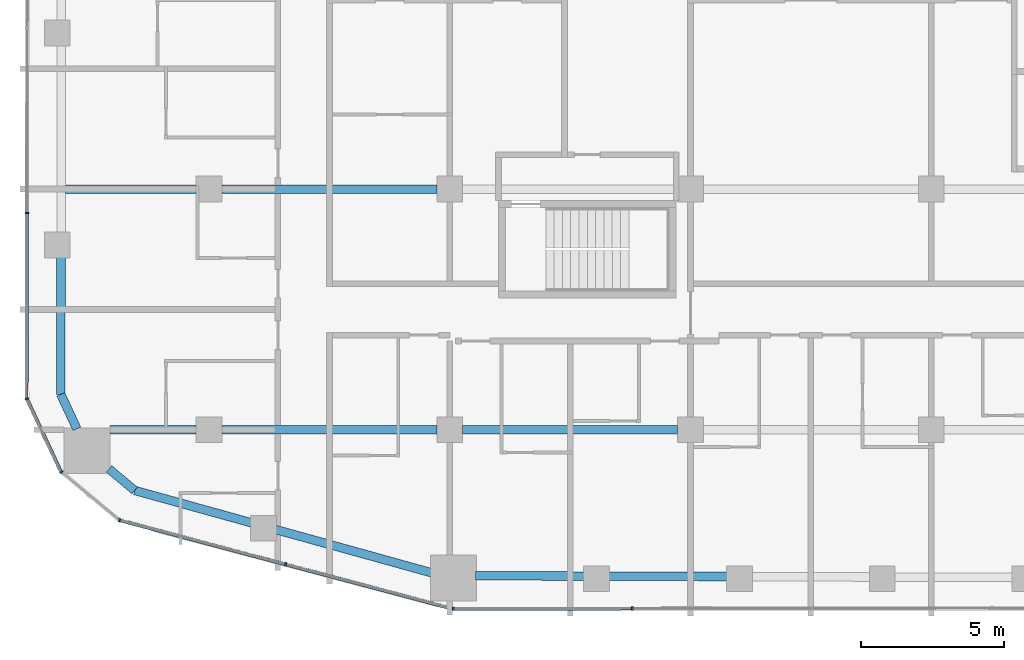
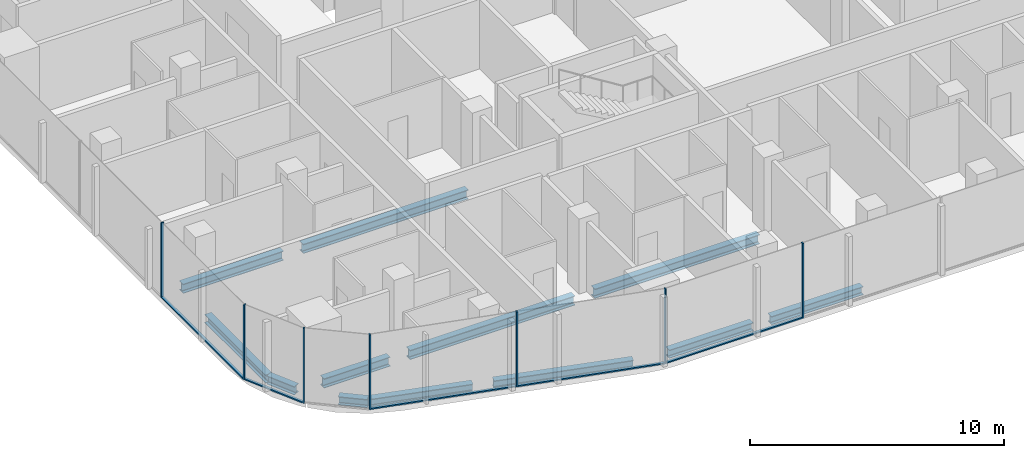
# One storey, part 2 of 23: 12 beams, 12 members, 5 elements without a shape of their own.
"""IFC4 building model written with IfcOpenShell, lengths in metres."""

from ifc_helpers import new_model, si_unit, direction, frame, origin, origin_2d, place, context, subcontext, project, spatial, rectangle, i_section, extrude, material, layer, layer_set, material_profile, profile_set, type_object, element, aggregate, save


model = new_model("IFC4")

# Units and contexts
model_context = context("Model", 3, precision=1e-05, world=origin(), true_north=direction((0.0, 1.0)))
body_context = subcontext(model_context, "Body", "Model", "MODEL_VIEW")
ifc_project = project(units=[si_unit("LENGTHUNIT", "METRE"), si_unit("AREAUNIT", "SQUARE_METRE"), si_unit("VOLUMEUNIT", "CUBIC_METRE"), si_unit("PLANEANGLEUNIT", "RADIAN"), si_unit("MASSUNIT", "GRAM", prefix="KILO")], contexts=[model_context])

# Site, building, storey
site_placement = place(None, origin())
site = spatial("IfcSite", under=ifc_project, at=site_placement, CompositionType="ELEMENT")
building_placement = place(site_placement, origin())
building = spatial("IfcBuilding", under=site, at=building_placement, Name="Marenta Gate Hotel Tower", CompositionType="ELEMENT")
storey_placement = place(building_placement, frame((0.0, 0.0, 104.89990234375)))
storey = spatial("IfcBuildingStorey", under=building, at=storey_placement, Name="L22", CompositionType="ELEMENT", Elevation=104.89990234375)

# Beams
ifc_material_1 = material(Name="Steel S355", Category="steel")
ifc_material_profile_1 = material_profile(ifc_material_1, i_section(OverallWidth=0.300048828125, OverallDepth=0.39990234375, WebThickness=0.013427734375, FlangeThickness=0.02392578125, FilletRadius=0.027099609375, at=origin_2d()), Name="HEB 400")
ifc_profile_set_1 = profile_set([ifc_material_profile_1], Name="Steel S355")
beam_type_1 = type_object("IfcBeamType", Name="Edge beam HEB 400", PredefinedType="SPANDREL", material=ifc_profile_set_1)
beam_1_placement = place(storey_placement, frame((-13.227783203125, -21.794677734375, -0.4599609375), z_axis=(-0.963615860477, 0.267290990189, 0.0), x_axis=(-0.267290990189, -0.963615860477, 0.0)))
element("IfcBeam", 1, at=beam_1_placement, inside=storey, type_object=beam_type_1, Name="L22-EB-1", PredefinedType="SPANDREL", context=body_context, shape_type="SweptSolid", body=[
    extrude(i_section(OverallWidth=0.300048828125, OverallDepth=0.39990234375, WebThickness=0.013427734375, FlangeThickness=0.02392578125, FilletRadius=0.027099609375, at=origin_2d()), origin(), (0.0, 0.0, 1.0), 5.674072265625),
])
beam_2_placement = place(storey_placement, frame((-19.518310546875, -20.0498046875, -0.4599609375), z_axis=(-0.963630213062, 0.267239242016, 0.0), x_axis=(-0.267239242016, -0.963630213062, 0.0)))
element("IfcBeam", 2, at=beam_2_placement, inside=storey, type_object=beam_type_1, Name="L22-EB-2", PredefinedType="SPANDREL", context=body_context, shape_type="SweptSolid", body=[
    extrude(i_section(OverallWidth=0.300048828125, OverallDepth=0.39990234375, WebThickness=0.013427734375, FlangeThickness=0.02392578125, FilletRadius=0.027099609375, at=origin_2d()), origin(), (0.0, 0.0, 1.0), 4.232666015625),
])
beam_3_placement = place(storey_placement, frame((-23.596923828125, -18.918701171875, -0.4599609375), z_axis=(-0.767073132856, 0.641559668972, 0.0), x_axis=(-0.641559668972, -0.767073132856, 0.0)))
element("IfcBeam", 3, at=beam_3_placement, inside=storey, type_object=beam_type_1, Name="L22-EB-3", PredefinedType="SPANDREL", context=body_context, shape_type="SweptSolid", body=[
    extrude(i_section(OverallWidth=0.300048828125, OverallDepth=0.39990234375, WebThickness=0.013427734375, FlangeThickness=0.02392578125, FilletRadius=0.027099609375, at=origin_2d()), origin(), (0.0, 0.0, 1.0), 1.1689453125),
])
beam_4_placement = place(storey_placement, frame((-25.613525390625, -16.769287109375, -0.4599609375), z_axis=(-0.423207780269, 0.906032656541, 0.0), x_axis=(-0.906032656541, -0.423207780269, 0.0)))
element("IfcBeam", 4, at=beam_4_placement, inside=storey, type_object=beam_type_1, Name="L22-EB-4", PredefinedType="SPANDREL", context=body_context, shape_type="SweptSolid", body=[
    extrude(i_section(OverallWidth=0.300048828125, OverallDepth=0.39990234375, WebThickness=0.013427734375, FlangeThickness=0.02392578125, FilletRadius=0.027099609375, at=origin_2d()), origin(), (0.0, 0.0, 1.0), 1.326904296875),
])
beam_5_placement = place(storey_placement, frame((-26.175048828125, -15.567138671875, -0.4599609375), z_axis=(0.001371810517, 0.999999059068, 0.0), x_axis=(-0.999999059068, 0.001371810517, 0.0)))
element("IfcBeam", 5, at=beam_5_placement, inside=storey, type_object=beam_type_1, Name="L22-EB-5", PredefinedType="SPANDREL", context=body_context, shape_type="SweptSolid", body=[
    extrude(i_section(OverallWidth=0.300048828125, OverallDepth=0.39990234375, WebThickness=0.013427734375, FlangeThickness=0.02392578125, FilletRadius=0.027099609375, at=origin_2d()), origin(), (0.0, 0.0, 1.0), 4.80517578125),
])
beam_6_placement = place(storey_placement, frame((-2.9033203125, -21.92333984375, -0.4599609375), z_axis=(-0.999994807487, 0.003222576575, 0.0), x_axis=(-0.003222576575, -0.999994807487, 0.0)))
element("IfcBeam", 6, at=beam_6_placement, inside=storey, type_object=beam_type_1, Name="L22-EB-35", PredefinedType="SPANDREL", context=body_context, shape_type="SweptSolid", body=[
    extrude(i_section(OverallWidth=0.300048828125, OverallDepth=0.39990234375, WebThickness=0.013427734375, FlangeThickness=0.02392578125, FilletRadius=0.027099609375, at=origin_2d()), origin(), (0.0, 0.0, 1.0), 4.166748046875),
])
beam_7_placement = place(storey_placement, frame((-7.89013671875, -21.907470703125, -0.4599609375), z_axis=(-0.999994677283, 0.003262729738, 0.0), x_axis=(-0.003262729738, -0.999994677283, 0.0)))
element("IfcBeam", 7, at=beam_7_placement, inside=storey, type_object=beam_type_1, Name="L22-EB-36", PredefinedType="SPANDREL", context=body_context, shape_type="SweptSolid", body=[
    extrude(i_section(OverallWidth=0.300048828125, OverallDepth=0.39990234375, WebThickness=0.013427734375, FlangeThickness=0.02392578125, FilletRadius=0.027099609375, at=origin_2d()), origin(), (0.0, 0.0, 1.0), 3.816162109375),
])
ifc_material_2 = material(Name="Steel S355", Category="steel")
ifc_material_profile_2 = material_profile(ifc_material_2, i_section(OverallWidth=0.300048828125, OverallDepth=0.449951171875, WebThickness=0.013916015625, FlangeThickness=0.02587890625, FilletRadius=0.027099609375, at=origin_2d()), Name="HEB 450")
ifc_profile_set_2 = profile_set([ifc_material_profile_2], Name="Steel S355")
beam_type_2 = type_object("IfcBeamType", Name="Girder HEB 450", PredefinedType="BEAM", material=ifc_profile_set_2)
beam_8_placement = place(storey_placement, frame((-24.462890625, -16.800048828125, -0.48486328125), z_axis=(1.0, 0.0, 0.0), x_axis=(0.0, 1.0, 0.0)))
element("IfcBeam", 8, at=beam_8_placement, inside=storey, type_object=beam_type_2, Name="L22-GD-1", PredefinedType="BEAM", context=body_context, shape_type="SweptSolid", body=[
    extrude(i_section(OverallWidth=0.300048828125, OverallDepth=0.449951171875, WebThickness=0.013916015625, FlangeThickness=0.02587890625, FilletRadius=0.027099609375, at=origin_2d()), origin(), (0.0, 0.0, 1.0), 3.012939453125),
])
for number, where, z_axis, x_axis, name in (
    (9, (-20.550048828125, -16.800048828125, -0.48486328125), (1.0, 0.0, 0.0), (0.0, 1.0, 0.0), "L22-GD-2"),
    (10, (-12.14990234375, -16.800048828125, -0.48486328125), (1.0, 0.0, 0.0), (0.0, 1.0, 0.0), "L22-GD-3"),
):
    element("IfcBeam", number, at=place(storey_placement, frame(where, z_axis=z_axis, x_axis=x_axis)), inside=storey, type_object=beam_type_2, Name=name, PredefinedType="BEAM", context=body_context, shape_type="SweptSolid", body=[
        extrude(i_section(OverallWidth=0.300048828125, OverallDepth=0.449951171875, WebThickness=0.013916015625, FlangeThickness=0.02587890625, FilletRadius=0.027099609375, at=origin_2d()), origin(), (0.0, 0.0, 1.0), 7.5),
    ])
beam_9_placement = place(storey_placement, frame((-26.01513671875, -8.39990234375, -0.48486328125), z_axis=(1.0, 0.0, 0.0), x_axis=(0.0, 1.0, 0.0)))
element("IfcBeam", 11, at=beam_9_placement, inside=storey, type_object=beam_type_2, Name="L22-GD-8", PredefinedType="BEAM", context=body_context, shape_type="SweptSolid", body=[
    extrude(i_section(OverallWidth=0.300048828125, OverallDepth=0.449951171875, WebThickness=0.013916015625, FlangeThickness=0.02587890625, FilletRadius=0.027099609375, at=origin_2d()), origin(), (0.0, 0.0, 1.0), 4.565185546875),
])
beam_10_placement = place(storey_placement, frame((-20.550048828125, -8.39990234375, -0.48486328125), z_axis=(1.0, 0.0, 0.0), x_axis=(0.0, 1.0, 0.0)))
element("IfcBeam", 12, at=beam_10_placement, inside=storey, type_object=beam_type_2, Name="L22-GD-9", PredefinedType="BEAM", context=body_context, shape_type="SweptSolid", body=[
    extrude(i_section(OverallWidth=0.300048828125, OverallDepth=0.449951171875, WebThickness=0.013916015625, FlangeThickness=0.02587890625, FilletRadius=0.027099609375, at=origin_2d()), origin(), (0.0, 0.0, 1.0), 7.5),
])

# Curtain wall, member
ifc_material_3 = material(Name="Tinted insulated glass in bronze anodised frame", Category="glass")
ifc_layer = layer(ifc_material_3, 0.1201171875)
ifc_layer_set = layer_set([ifc_layer], Name="Tinted insulated glass in bronze anodised frame")
curtain_wall_type = type_object("IfcCurtainWallType", Name="Tower unitised curtain wall CW1", PredefinedType="NOTDEFINED", material=ifc_layer_set)
curtain_wall_1_placement = place(storey_placement, origin())
curtain_wall_1 = element("IfcCurtainWall", 13, at=curtain_wall_1_placement, inside=storey, type_object=curtain_wall_type, Name="CW1 run G03", PredefinedType="NOTDEFINED")
ifc_material_4 = material(Name="Bronze anodised aluminium", Category="aluminium")
ifc_material_profile_3 = material_profile(ifc_material_4, rectangle(XDim=0.1201171875, YDim=0.06005859375, at=origin_2d()), Name="Mullion CW1 60x120 bronze anodised aluminium")
ifc_profile_set_3 = profile_set([ifc_material_profile_3], Name="Bronze anodised aluminium")
member_type_1 = type_object("IfcMemberType", Name="Mullion CW1 60x120 bronze anodised aluminium", PredefinedType="MULLION", material=ifc_profile_set_3)
member_1_placement = place(storey_placement, frame((-27.36279296875, -9.23388671875, 0.0), z_axis=(0.0, 0.0, 1.0), x_axis=(0.99999877375, -0.001566045546, 0.0)))
member_1 = element("IfcMember", 14, at=member_1_placement, type_object=member_type_1, Name="CW1 mullion 6", PredefinedType="MULLION", context=body_context, shape_type="SweptSolid", body=[
    extrude(rectangle(XDim=0.1201171875, YDim=0.06005859375, at=origin_2d()), origin(), (0.0, 0.0, 1.0), 3.60009765625),
])

curtain_wall_2_placement = place(storey_placement, origin())
curtain_wall_2 = element("IfcCurtainWall", 15, at=curtain_wall_2_placement, inside=storey, type_object=curtain_wall_type, Name="CW1 run G04", PredefinedType="NOTDEFINED")
member_2_placement = place(storey_placement, frame((-27.3603515625, -15.720947265625, 0.0), z_axis=(0.0, 0.0, 1.0), x_axis=(0.905971778319, 0.423338088163, 0.0)))
member_2 = element("IfcMember", 16, at=member_2_placement, type_object=member_type_1, Name="CW1 mullion 1", PredefinedType="MULLION", context=body_context, shape_type="SweptSolid", body=[
    extrude(rectangle(XDim=0.1201171875, YDim=0.06005859375, at=origin_2d()), origin(), (0.0, 0.0, 1.0), 3.60009765625),
])

curtain_wall_3_placement = place(storey_placement, origin())
curtain_wall_3 = element("IfcCurtainWall", 17, at=curtain_wall_3_placement, inside=storey, type_object=curtain_wall_type, Name="CW1 run G05", PredefinedType="NOTDEFINED")
member_3_placement = place(storey_placement, frame((-26.152099609375, -18.27685546875, 0.0), z_axis=(0.0, 0.0, 1.0), x_axis=(0.641512168126, 0.767112858807, 0.0)))
member_3 = element("IfcMember", 18, at=member_3_placement, type_object=member_type_1, Name="CW1 mullion 1", PredefinedType="MULLION", context=body_context, shape_type="SweptSolid", body=[
    extrude(rectangle(XDim=0.1201171875, YDim=0.06005859375, at=origin_2d()), origin(), (0.0, 0.0, 1.0), 3.60009765625),
])
aggregate(curtain_wall_3, [member_3])

# Curtain wall, members
curtain_wall_4_placement = place(storey_placement, origin())
curtain_wall_4 = element("IfcCurtainWall", 19, at=curtain_wall_4_placement, inside=storey, type_object=curtain_wall_type, Name="CW1 run G06", PredefinedType="NOTDEFINED")
member_4_placement = place(storey_placement, frame((-24.12451171875, -19.955810546875, 0.0), z_axis=(0.0, 0.0, 1.0), x_axis=(0.257143631229, 0.966373195468, 0.0)))
member_4 = element("IfcMember", 20, at=member_4_placement, type_object=member_type_1, Name="CW1 mullion 1", PredefinedType="MULLION", context=body_context, shape_type="SweptSolid", body=[
    extrude(rectangle(XDim=0.1201171875, YDim=0.06005859375, at=origin_2d()), origin(), (0.0, 0.0, 1.0), 3.60009765625),
])
member_5_placement = place(storey_placement, frame((-18.32958984375, -21.497802734375, 0.0), z_axis=(0.0, 0.0, 1.0), x_axis=(0.257143631229, 0.966373195468, 0.0)))
member_5 = element("IfcMember", 21, at=member_5_placement, type_object=member_type_1, Name="CW1 mullion 2", PredefinedType="MULLION", context=body_context, shape_type="SweptSolid", body=[
    extrude(rectangle(XDim=0.1201171875, YDim=0.06005859375, at=origin_2d()), origin(), (0.0, 0.0, 1.0), 3.60009765625),
])

curtain_wall_5_placement = place(storey_placement, origin())
curtain_wall_5 = element("IfcCurtainWall", 22, at=curtain_wall_5_placement, inside=storey, type_object=curtain_wall_type, Name="CW1 run G07", PredefinedType="NOTDEFINED")
member_6_placement = place(storey_placement, frame((-12.475830078125, -23.04736328125, 0.0), z_axis=(0.0, 0.0, 1.0), x_axis=(-0.001362347707, 0.999999072004, 0.0)))
member_6 = element("IfcMember", 23, at=member_6_placement, type_object=member_type_1, Name="CW1 mullion 1", PredefinedType="MULLION", context=body_context, shape_type="SweptSolid", body=[
    extrude(rectangle(XDim=0.1201171875, YDim=0.06005859375, at=origin_2d()), origin(), (0.0, 0.0, 1.0), 3.60009765625),
])
member_7_placement = place(storey_placement, frame((-6.22998046875, -23.0390625, 0.0), z_axis=(0.0, 0.0, 1.0), x_axis=(-0.001362347707, 0.999999072004, 0.0)))
member_7 = element("IfcMember", 24, at=member_7_placement, type_object=member_type_1, Name="CW1 mullion 2", PredefinedType="MULLION", context=body_context, shape_type="SweptSolid", body=[
    extrude(rectangle(XDim=0.1201171875, YDim=0.06005859375, at=origin_2d()), origin(), (0.0, 0.0, 1.0), 3.60009765625),
])

# Member
ifc_material_5 = material(Name="Bronze anodised aluminium", Category="aluminium")
ifc_material_profile_4 = material_profile(ifc_material_5, rectangle(XDim=0.1201171875, YDim=0.06005859375, at=origin_2d()), Name="Transom CW1 60x120 bronze anodised aluminium")
ifc_profile_set_4 = profile_set([ifc_material_profile_4], Name="Bronze anodised aluminium")
member_type_2 = type_object("IfcMemberType", Name="Transom CW1 60x120 bronze anodised aluminium", PredefinedType="USERDEFINED", material=ifc_profile_set_4)
member_8_placement = place(storey_placement, frame((-27.363037109375, -9.263916015625, 0.030029296875), z_axis=(-0.001556743377, -0.999998788274, 0.0), x_axis=(0.999998788274, -0.001556743377, 0.0)))
member_8 = element("IfcMember", 25, at=member_8_placement, type_object=member_type_2, Name="CW1 transom 6.1", ObjectType="TRANSOM", PredefinedType="USERDEFINED", context=body_context, shape_type="SweptSolid", body=[
    extrude(rectangle(XDim=0.1201171875, YDim=0.06005859375, at=origin_2d()), origin(), (0.0, 0.0, 1.0), 6.429931640625),
])

aggregate(curtain_wall_1, [member_1, member_8])

member_9_placement = place(storey_placement, frame((-27.34765625, -15.748046875, 0.030029296875), z_axis=(0.423329323939, -0.905975873572, 0.0), x_axis=(0.905975873572, 0.423329323939, 0.0)))
member_9 = element("IfcMember", 26, at=member_9_placement, type_object=member_type_2, Name="CW1 transom 1.1", ObjectType="TRANSOM", PredefinedType="USERDEFINED", context=body_context, shape_type="SweptSolid", body=[
    extrude(rectangle(XDim=0.1201171875, YDim=0.06005859375, at=origin_2d()), origin(), (0.0, 0.0, 1.0), 2.77001953125),
])

aggregate(curtain_wall_2, [member_2, member_9])

member_10_placement = place(storey_placement, frame((-24.095458984375, -19.963623046875, 0.030029296875), z_axis=(0.966369276777, -0.257158357634, 0.0), x_axis=(0.257158357634, 0.966369276777, 0.0)))
member_10 = element("IfcMember", 27, at=member_10_placement, type_object=member_type_2, Name="CW1 transom 1.1", ObjectType="TRANSOM", PredefinedType="USERDEFINED", context=body_context, shape_type="SweptSolid", body=[
    extrude(rectangle(XDim=0.1201171875, YDim=0.06005859375, at=origin_2d()), origin(), (0.0, 0.0, 1.0), 5.9365234375),
])

member_11_placement = place(storey_placement, frame((-18.300537109375, -21.505615234375, 0.030029296875), z_axis=(0.966369960125, -0.257155789684, 0.0), x_axis=(0.257155789684, 0.966369960125, 0.0)))
member_11 = element("IfcMember", 28, at=member_11_placement, type_object=member_type_2, Name="CW1 transom 2.1", ObjectType="TRANSOM", PredefinedType="USERDEFINED", context=body_context, shape_type="SweptSolid", body=[
    extrude(rectangle(XDim=0.1201171875, YDim=0.06005859375, at=origin_2d()), origin(), (0.0, 0.0, 1.0), 5.996337890625),
])

aggregate(curtain_wall_4, [member_4, member_5, member_10, member_11])

member_12_placement = place(storey_placement, frame((-12.44580078125, -23.04736328125, 0.030029296875), z_axis=(0.999999099639, 0.001341909831, 0.0), x_axis=(-0.001341909831, 0.999999099639, 0.0)))
member_12 = element("IfcMember", 29, at=member_12_placement, type_object=member_type_2, Name="CW1 transom 1.1", ObjectType="TRANSOM", PredefinedType="USERDEFINED", context=body_context, shape_type="SweptSolid", body=[
    extrude(rectangle(XDim=0.1201171875, YDim=0.06005859375, at=origin_2d()), origin(), (0.0, 0.0, 1.0), 6.185791015625),
])

aggregate(curtain_wall_5, [member_6, member_7, member_12])

save(model, "model.ifc")
